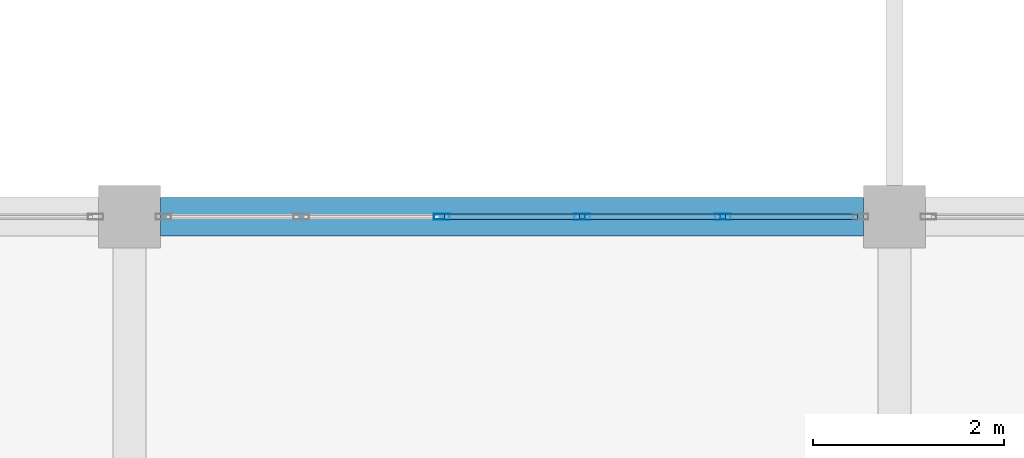
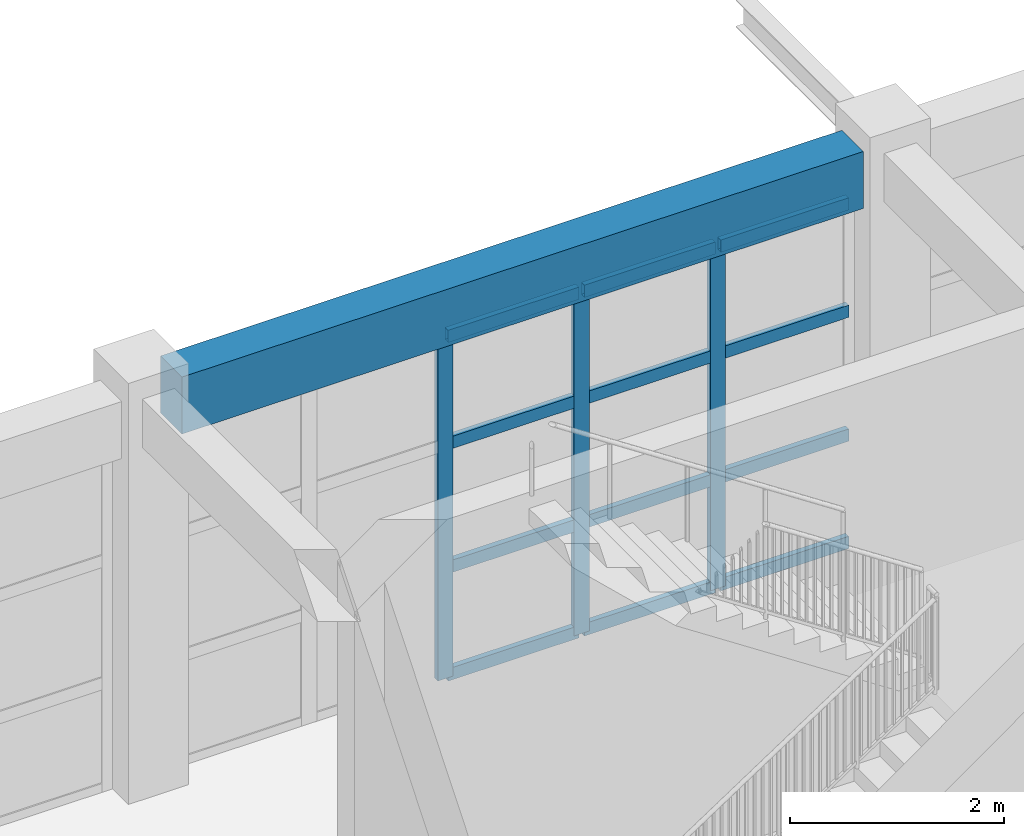
# One storey, part 14 of 50: 15 members, 1 beam, 1 element without a shape of its own.
"""IFC4 building model written with IfcOpenShell, lengths in metres."""

from ifc_helpers import new_model, si_unit, direction, frame, origin, origin_2d, place, context, subcontext, project, spatial, rectangle, hollow_rectangle, extrude, material, material_profile, profile_set, type_object, element, aggregate, save


model = new_model("IFC4")

# Units and contexts
model_context = context("Model", 3, precision=1e-05, world=origin(), true_north=direction((0.0, 1.0)))
body_context = subcontext(model_context, "Body", "Model", "MODEL_VIEW")
ifc_project = project(units=[si_unit("LENGTHUNIT", "METRE"), si_unit("AREAUNIT", "SQUARE_METRE"), si_unit("VOLUMEUNIT", "CUBIC_METRE"), si_unit("PLANEANGLEUNIT", "RADIAN"), si_unit("MASSUNIT", "GRAM", prefix="KILO")], contexts=[model_context])

# Site, building, storey
site_placement = place(None, origin())
site = spatial("IfcSite", under=ifc_project, at=site_placement, CompositionType="ELEMENT")
building_placement = place(site_placement, origin())
building = spatial("IfcBuilding", under=site, at=building_placement, Name="Zantavel Square City Hall", CompositionType="ELEMENT")
storey_placement = place(building_placement, frame((0.0, 0.0, 18.89990234375)))
storey = spatial("IfcBuildingStorey", under=building, at=storey_placement, Name="L05", CompositionType="ELEMENT", Elevation=18.89990234375)

# Curtain wall, members
ifc_material_1 = material(Name="Anodised aluminium 6063-T6", Category="aluminium")
curtain_wall_type = type_object("IfcCurtainWallType", Name="Curtain Wall TRV1 7350x3920", PredefinedType="USERDEFINED", material=ifc_material_1)
curtain_wall_placement = place(storey_placement, origin())
curtain_wall = element("IfcCurtainWall", 1, at=curtain_wall_placement, inside=storey, type_object=curtain_wall_type, Name="L05 Glazed Curtain Wall CW-L05-123", ObjectType="GLAZED CURTAIN WALL", PredefinedType="USERDEFINED")
ifc_material_profile_1 = material_profile(ifc_material_1, hollow_rectangle(XDim=0.06005859375, YDim=0.1650390625, WallThickness=0.00390625, at=origin_2d()), Name="ALU 60x165x4")
ifc_profile_set_1 = profile_set([ifc_material_profile_1], Name="Anodised aluminium 6063-T6")
member_type_1 = type_object("IfcMemberType", Name="CW Council Gallery Mullion ALU 60x165x4", PredefinedType="MULLION", material=ifc_profile_set_1)
member_1_placement = place(storey_placement, frame((67.264892578125, 68.39990234375, 0.0), z_axis=(0.0, 0.0, 1.0), x_axis=(0.0, 1.0, 0.0)))
member_1 = element("IfcMember", 2, at=member_1_placement, type_object=member_type_1, Name="CW-123 mullion 3", PredefinedType="MULLION", context=body_context, shape_type="SweptSolid", body=[
    extrude(hollow_rectangle(XDim=0.06005859375, YDim=0.1650390625, WallThickness=0.00390625, at=origin_2d()), origin(), (0.0, 0.0, 1.0), 3.920166015625),
])
member_2_placement = place(storey_placement, frame((68.735107421875, 68.39990234375, 0.0), z_axis=(0.0, 0.0, 1.0), x_axis=(0.0, 1.0, 0.0)))
member_2 = element("IfcMember", 3, at=member_2_placement, type_object=member_type_1, Name="CW-123 mullion 4", PredefinedType="MULLION", context=body_context, shape_type="SweptSolid", body=[
    extrude(hollow_rectangle(XDim=0.06005859375, YDim=0.1650390625, WallThickness=0.00390625, at=origin_2d()), origin(), (0.0, 0.0, 1.0), 3.920166015625),
])
member_3_placement = place(storey_placement, frame((70.205078125, 68.39990234375, 0.0), z_axis=(0.0, 0.0, 1.0), x_axis=(0.0, 1.0, 0.0)))
member_3 = element("IfcMember", 4, at=member_3_placement, type_object=member_type_1, Name="CW-123 mullion 5", PredefinedType="MULLION", context=body_context, shape_type="SweptSolid", body=[
    extrude(hollow_rectangle(XDim=0.06005859375, YDim=0.1650390625, WallThickness=0.00390625, at=origin_2d()), origin(), (0.0, 0.0, 1.0), 3.920166015625),
])
ifc_material_profile_2 = material_profile(ifc_material_1, hollow_rectangle(XDim=0.06005859375, YDim=0.139892578125, WallThickness=0.00390625, at=origin_2d()), Name="ALU 60x140x4")
ifc_profile_set_2 = profile_set([ifc_material_profile_2], Name="Anodised aluminium 6063-T6")
member_type_2 = type_object("IfcMemberType", Name="CW Transom ALU 60x140x4", PredefinedType="USERDEFINED", material=ifc_profile_set_2)
member_4_placement = place(storey_placement, frame((67.294921875, 68.39990234375, 0.030029296875), z_axis=(1.0, 0.0, 0.0), x_axis=(0.0, 1.0, 0.0)))
member_4 = element("IfcMember", 5, at=member_4_placement, type_object=member_type_2, Name="CW-123 transom 3.1", ObjectType="TRANSOM", PredefinedType="USERDEFINED", context=body_context, shape_type="SweptSolid", body=[
    extrude(hollow_rectangle(XDim=0.06005859375, YDim=0.139892578125, WallThickness=0.00390625, at=origin_2d()), origin(), (0.0, 0.0, 1.0), 1.41015625),
])
member_5_placement = place(storey_placement, frame((67.294921875, 68.39990234375, 1.254150390625), z_axis=(1.0, 0.0, 0.0), x_axis=(0.0, 1.0, 0.0)))
member_5 = element("IfcMember", 6, at=member_5_placement, type_object=member_type_2, Name="CW-123 transom 3.2", ObjectType="TRANSOM", PredefinedType="USERDEFINED", context=body_context, shape_type="SweptSolid", body=[
    extrude(hollow_rectangle(XDim=0.06005859375, YDim=0.139892578125, WallThickness=0.00390625, at=origin_2d()), origin(), (0.0, 0.0, 1.0), 1.41015625),
])
member_6_placement = place(storey_placement, frame((67.294921875, 68.39990234375, 2.666015625), z_axis=(1.0, 0.0, 0.0), x_axis=(0.0, 1.0, 0.0)))
member_6 = element("IfcMember", 7, at=member_6_placement, type_object=member_type_2, Name="CW-123 transom 3.3", ObjectType="TRANSOM", PredefinedType="USERDEFINED", context=body_context, shape_type="SweptSolid", body=[
    extrude(hollow_rectangle(XDim=0.06005859375, YDim=0.139892578125, WallThickness=0.00390625, at=origin_2d()), origin(), (0.0, 0.0, 1.0), 1.41015625),
])
member_7_placement = place(storey_placement, frame((67.294921875, 68.39990234375, 3.89013671875), z_axis=(1.0, 0.0, 0.0), x_axis=(0.0, 1.0, 0.0)))
member_7 = element("IfcMember", 8, at=member_7_placement, type_object=member_type_2, Name="CW-123 transom 3.4", ObjectType="TRANSOM", PredefinedType="USERDEFINED", context=body_context, shape_type="SweptSolid", body=[
    extrude(hollow_rectangle(XDim=0.06005859375, YDim=0.139892578125, WallThickness=0.00390625, at=origin_2d()), origin(), (0.0, 0.0, 1.0), 1.41015625),
])
member_8_placement = place(storey_placement, frame((68.764892578125, 68.39990234375, 0.030029296875), z_axis=(1.0, 0.0, 0.0), x_axis=(0.0, 1.0, 0.0)))
member_8 = element("IfcMember", 9, at=member_8_placement, type_object=member_type_2, Name="CW-123 transom 4.1", ObjectType="TRANSOM", PredefinedType="USERDEFINED", context=body_context, shape_type="SweptSolid", body=[
    extrude(hollow_rectangle(XDim=0.06005859375, YDim=0.139892578125, WallThickness=0.00390625, at=origin_2d()), origin(), (0.0, 0.0, 1.0), 1.41015625),
])
member_9_placement = place(storey_placement, frame((68.764892578125, 68.39990234375, 1.254150390625), z_axis=(1.0, 0.0, 0.0), x_axis=(0.0, 1.0, 0.0)))
member_9 = element("IfcMember", 10, at=member_9_placement, type_object=member_type_2, Name="CW-123 transom 4.2", ObjectType="TRANSOM", PredefinedType="USERDEFINED", context=body_context, shape_type="SweptSolid", body=[
    extrude(hollow_rectangle(XDim=0.06005859375, YDim=0.139892578125, WallThickness=0.00390625, at=origin_2d()), origin(), (0.0, 0.0, 1.0), 1.41015625),
])
member_10_placement = place(storey_placement, frame((68.764892578125, 68.39990234375, 2.666015625), z_axis=(1.0, 0.0, 0.0), x_axis=(0.0, 1.0, 0.0)))
member_10 = element("IfcMember", 11, at=member_10_placement, type_object=member_type_2, Name="CW-123 transom 4.3", ObjectType="TRANSOM", PredefinedType="USERDEFINED", context=body_context, shape_type="SweptSolid", body=[
    extrude(hollow_rectangle(XDim=0.06005859375, YDim=0.139892578125, WallThickness=0.00390625, at=origin_2d()), origin(), (0.0, 0.0, 1.0), 1.41015625),
])
member_11_placement = place(storey_placement, frame((68.764892578125, 68.39990234375, 3.89013671875), z_axis=(1.0, 0.0, 0.0), x_axis=(0.0, 1.0, 0.0)))
member_11 = element("IfcMember", 12, at=member_11_placement, type_object=member_type_2, Name="CW-123 transom 4.4", ObjectType="TRANSOM", PredefinedType="USERDEFINED", context=body_context, shape_type="SweptSolid", body=[
    extrude(hollow_rectangle(XDim=0.06005859375, YDim=0.139892578125, WallThickness=0.00390625, at=origin_2d()), origin(), (0.0, 0.0, 1.0), 1.41015625),
])
member_12_placement = place(storey_placement, frame((70.235107421875, 68.39990234375, 0.030029296875), z_axis=(1.0, 0.0, 0.0), x_axis=(0.0, 1.0, 0.0)))
member_12 = element("IfcMember", 13, at=member_12_placement, type_object=member_type_2, Name="CW-123 transom 5.1", ObjectType="TRANSOM", PredefinedType="USERDEFINED", context=body_context, shape_type="SweptSolid", body=[
    extrude(hollow_rectangle(XDim=0.06005859375, YDim=0.139892578125, WallThickness=0.00390625, at=origin_2d()), origin(), (0.0, 0.0, 1.0), 1.3798828125),
])
member_13_placement = place(storey_placement, frame((70.235107421875, 68.39990234375, 1.254150390625), z_axis=(1.0, 0.0, 0.0), x_axis=(0.0, 1.0, 0.0)))
member_13 = element("IfcMember", 14, at=member_13_placement, type_object=member_type_2, Name="CW-123 transom 5.2", ObjectType="TRANSOM", PredefinedType="USERDEFINED", context=body_context, shape_type="SweptSolid", body=[
    extrude(hollow_rectangle(XDim=0.06005859375, YDim=0.139892578125, WallThickness=0.00390625, at=origin_2d()), origin(), (0.0, 0.0, 1.0), 1.3798828125),
])
member_14_placement = place(storey_placement, frame((70.235107421875, 68.39990234375, 2.666015625), z_axis=(1.0, 0.0, 0.0), x_axis=(0.0, 1.0, 0.0)))
member_14 = element("IfcMember", 15, at=member_14_placement, type_object=member_type_2, Name="CW-123 transom 5.3", ObjectType="TRANSOM", PredefinedType="USERDEFINED", context=body_context, shape_type="SweptSolid", body=[
    extrude(hollow_rectangle(XDim=0.06005859375, YDim=0.139892578125, WallThickness=0.00390625, at=origin_2d()), origin(), (0.0, 0.0, 1.0), 1.3798828125),
])
member_15_placement = place(storey_placement, frame((70.235107421875, 68.39990234375, 3.89013671875), z_axis=(1.0, 0.0, 0.0), x_axis=(0.0, 1.0, 0.0)))
member_15 = element("IfcMember", 16, at=member_15_placement, type_object=member_type_2, Name="CW-123 transom 5.4", ObjectType="TRANSOM", PredefinedType="USERDEFINED", context=body_context, shape_type="SweptSolid", body=[
    extrude(hollow_rectangle(XDim=0.06005859375, YDim=0.139892578125, WallThickness=0.00390625, at=origin_2d()), origin(), (0.0, 0.0, 1.0), 1.3798828125),
])
aggregate(curtain_wall, [member_1, member_2, member_3, member_4, member_5, member_6, member_7, member_8, member_9, member_10, member_11, member_12, member_13, member_14, member_15])

# Beam
ifc_material_2 = material(Name="Concrete C35/45", Category="concrete")
ifc_material_profile_3 = material_profile(ifc_material_2, rectangle(XDim=0.39990234375, YDim=0.64990234375, at=origin_2d()), Name="RC 400x650")
ifc_profile_set_3 = profile_set([ifc_material_profile_3], Name="Concrete C35/45")
beam_type = type_object("IfcBeamType", Name="Frame Beam RC 400x650 C35/45", PredefinedType="BEAM", material=ifc_profile_set_3)
beam_placement = place(storey_placement, frame((64.324951171875, 68.39990234375, 4.2451171875), z_axis=(1.0, 0.0, 0.0), x_axis=(0.0, 1.0, 0.0)))
element("IfcBeam", 17, at=beam_placement, inside=storey, type_object=beam_type, Name="L05 Girder BMX-L05-0640-0684", PredefinedType="BEAM", context=body_context, shape_type="SweptSolid", body=[
    extrude(rectangle(XDim=0.39990234375, YDim=0.64990234375, at=origin_2d()), origin(), (0.0, 0.0, 1.0), 7.35009765625),
])

save(model, "model.ifc")
